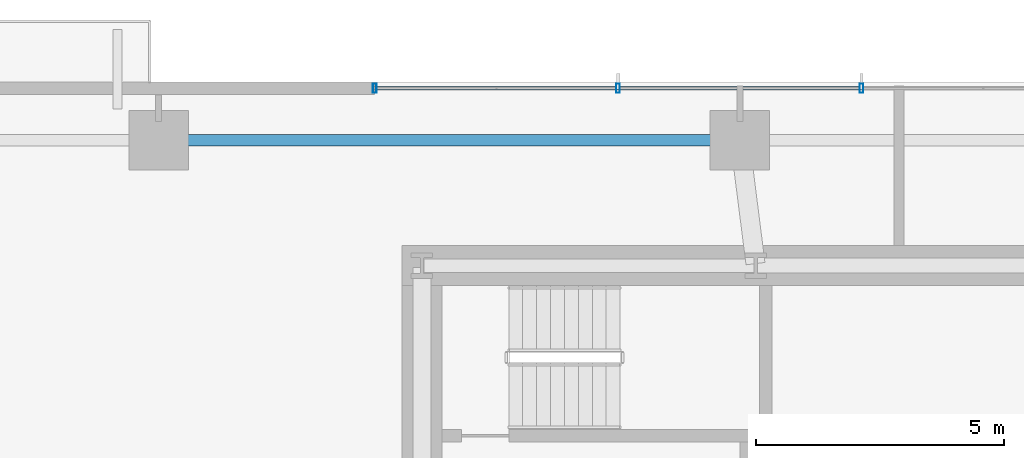
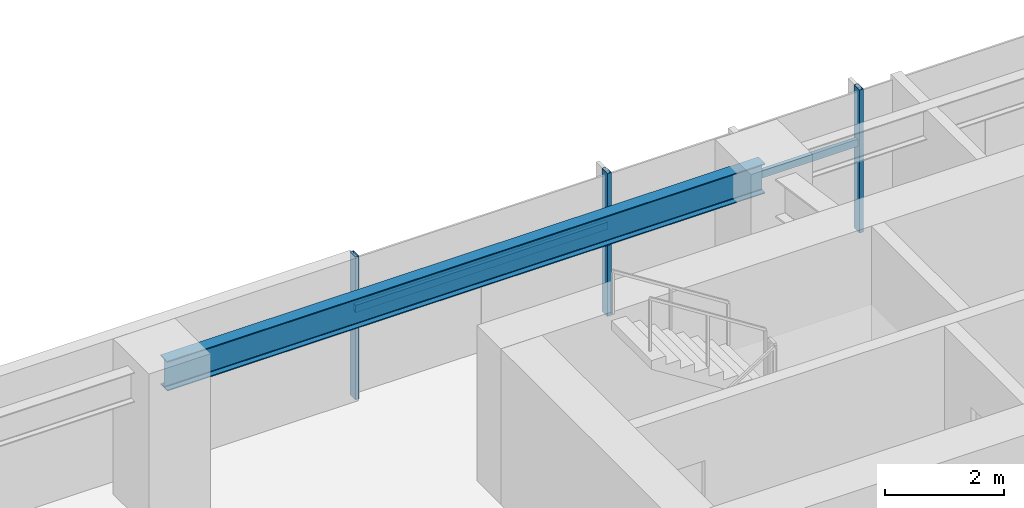
# One storey, part 10 of 25: 5 members, 1 beam, 1 element without a shape of its own.
"""IFC4 building model written with IfcOpenShell, lengths in metres."""

import ifcopenshell
import ifcopenshell.guid

model = None  # the IFC model being written
_history = None  # IfcOwnerHistory: only IFC2X3 demands one
_inside = {}  # id of a spatial element -> (the spatial element, [elements in it])
_under = {}  # id of a project, library or spatial element -> (it, [spatial elements below it])
_declared = {}  # id of a project -> (the project, [libraries it declares])
_typed = {}  # id of a type object -> (the type object, [elements of that type])
_made_of = {}  # id of a material, layer set ... -> (it, [elements and type objects made of it])


def new_model(schema):
    """Start an empty IFC model of exactly this schema.

    Asked for "IFC4X3", IfcOpenShell would pick the latest addendum, in which some entities
    have other attributes; the version numbers below select the first issue.
    IFC2X3 requires an IfcOwnerHistory on every rooted entity: one is made here for all.
    """
    global model, _history
    if schema == "IFC4X3":
        model = ifcopenshell.file(schema_version=(4, 3, 0, 0))
    else:
        model = ifcopenshell.file(schema=schema)
    _inside.clear()
    _under.clear()
    _declared.clear()
    _typed.clear()
    _made_of.clear()
    _history = None
    if model.schema == "IFC2X3":
        org = make("IfcOrganization", Name="unknown")
        user = make(
            "IfcPersonAndOrganization",
            ThePerson=make("IfcPerson", FamilyName="unknown"),
            TheOrganization=org,
        )
        app = make(
            "IfcApplication",
            ApplicationDeveloper=org,
            Version="unknown",
            ApplicationFullName="unknown",
            ApplicationIdentifier="unknown",
        )
        _history = make(
            "IfcOwnerHistory",
            OwningUser=user,
            OwningApplication=app,
            ChangeAction="ADDED",
            CreationDate=0,
        )
    return model


def make(cls, **values):
    """One entity of the class cls with the attributes given. An attribute that is None is left unset."""
    return model.create_entity(
        cls, **{name: value for name, value in values.items() if value is not None}
    )


def rooted(cls, **values):
    """An entity with a GlobalId (a new one), such as an element, a storey or a relation."""
    return make(cls, GlobalId=ifcopenshell.guid.new(), OwnerHistory=_history, **values)


def si_unit(unit_type, name, prefix=None):
    """IfcSIUnit, for example si_unit("LENGTHUNIT", "METRE", prefix="MILLI")."""
    return make("IfcSIUnit", UnitType=unit_type, Prefix=prefix, Name=name)


def assignment(units):
    """IfcUnitAssignment: the units of a project."""
    return None if units is None else make("IfcUnitAssignment", Units=units)


def point(xyz):
    """IfcCartesianPoint."""
    return None if xyz is None else make("IfcCartesianPoint", Coordinates=xyz)


def direction(xyz):
    """IfcDirection."""
    return None if xyz is None else make("IfcDirection", DirectionRatios=xyz)


def frame(location, z_axis=None, x_axis=None):
    """IfcAxis2Placement3D, a coordinate frame: its origin and axes. An axis left out is left unset."""
    return make(
        "IfcAxis2Placement3D",
        Location=point(location),
        Axis=direction(z_axis),
        RefDirection=direction(x_axis),
    )


def frame_2d(location, x_axis=None):
    """IfcAxis2Placement2D, a coordinate frame in the plane: its origin and x axis."""
    return make(
        "IfcAxis2Placement2D", Location=point(location), RefDirection=direction(x_axis)
    )


def origin():
    """The frame at (0, 0, 0) with its axes left unset."""
    return frame((0.0, 0.0, 0.0))


def origin_2d():
    """The frame at (0, 0) in the plane with its x axis left unset."""
    return frame_2d((0.0, 0.0))


def place(relative_to, where):
    """IfcLocalPlacement: puts the frame where relative to a parent placement (None: the world)."""
    return make(
        "IfcLocalPlacement", PlacementRelTo=relative_to, RelativePlacement=where
    )


def context(
    kind, dimensions, precision=None, world=None, true_north=None, identifier=None
):
    """IfcGeometricRepresentationContext, for example the 3D "Model" context."""
    return make(
        "IfcGeometricRepresentationContext",
        ContextIdentifier=identifier,
        ContextType=kind,
        CoordinateSpaceDimension=dimensions,
        Precision=precision,
        WorldCoordinateSystem=world,
        TrueNorth=true_north,
    )


def subcontext(parent, identifier, kind, view, scale=None):
    """IfcGeometricRepresentationSubContext, for example "Body" below "Model"."""
    return make(
        "IfcGeometricRepresentationSubContext",
        ContextIdentifier=identifier,
        ContextType=kind,
        ParentContext=parent,
        TargetScale=scale,
        TargetView=view,
    )


def project(units=None, contexts=None):
    """IfcProject with its units and contexts."""
    return rooted(
        "IfcProject",
        Name="project",
        RepresentationContexts=contexts,
        UnitsInContext=assignment(units),
    )


def spatial(cls, under=None, at=None, **own):
    """A site, building, storey or space (cls), placed at a placement, below another one or the project."""
    s = rooted(cls, ObjectPlacement=at, **own)
    if under is not None:
        _under.setdefault(under.id(), (under, []))[1].append(s)
    return s


def profile(cls, at=None, kind="AREA", **sizes):
    """A parametric profile (cls). Its sizes go by their IFC names, for example OverallWidth=200.0."""
    return make(cls, ProfileType=kind, Position=at, **sizes)


def hollow_rectangle(**sizes):
    """IfcRectangleHollowProfileDef."""
    return profile("IfcRectangleHollowProfileDef", **sizes)


def i_section(**sizes):
    """IfcIShapeProfileDef."""
    return profile("IfcIShapeProfileDef", **sizes)


def extrude(swept, where, along, depth):
    """IfcExtrudedAreaSolid: the profile swept, set in the frame where, extruded along a direction by depth."""
    return make(
        "IfcExtrudedAreaSolid",
        SweptArea=swept,
        Position=where,
        ExtrudedDirection=direction(along),
        Depth=depth,
    )


def shape(context_of_items, identifier, shape_type, items):
    """IfcShapeRepresentation: the items that make up one representation, for example the "Body"."""
    return make(
        "IfcShapeRepresentation",
        ContextOfItems=context_of_items,
        RepresentationIdentifier=identifier,
        RepresentationType=shape_type,
        Items=items,
    )


def source(mapping_origin, context_of_items, identifier, shape_type, items):
    """IfcRepresentationMap: a shape defined once, which mapped items show again and again."""
    return make(
        "IfcRepresentationMap",
        MappingOrigin=mapping_origin,
        MappedRepresentation=shape(context_of_items, identifier, shape_type, items),
    )


def transform(
    local_origin,
    x_axis=None,
    y_axis=None,
    z_axis=None,
    scale=None,
    scale2=None,
    scale3=None,
    uniform=True,
):
    """IfcCartesianTransformationOperator3D, or its non-uniform kind. x_axis, y_axis, z_axis: its Axis1, 2, 3."""
    if uniform:
        return make(
            "IfcCartesianTransformationOperator3D",
            Axis1=direction(x_axis),
            Axis2=direction(y_axis),
            LocalOrigin=point(local_origin),
            Scale=scale,
            Axis3=direction(z_axis),
        )
    return make(
        "IfcCartesianTransformationOperator3DnonUniform",
        Axis1=direction(x_axis),
        Axis2=direction(y_axis),
        LocalOrigin=point(local_origin),
        Scale=scale,
        Axis3=direction(z_axis),
        Scale2=scale2,
        Scale3=scale3,
    )


def mapped(mapping_source, mapping_target):
    """IfcMappedItem: shows the shape of a source again, moved by a transform."""
    return make(
        "IfcMappedItem", MappingSource=mapping_source, MappingTarget=mapping_target
    )


def material(Name=None, Category=None):
    """IfcMaterial."""
    return make("IfcMaterial", Name=Name, Category=Category)


def material_profile(
    of_material, cross_section, Name=None, Category=None, Priority=None
):
    """IfcMaterialProfile: a cross section and its material."""
    return make(
        "IfcMaterialProfile",
        Name=Name,
        Material=of_material,
        Profile=cross_section,
        Priority=Priority,
        Category=Category,
    )


def profile_set(profiles, Name=None, composite=None):
    """IfcMaterialProfileSet."""
    return make(
        "IfcMaterialProfileSet",
        Name=Name,
        MaterialProfiles=profiles,
        CompositeProfile=composite,
    )


def made_of(thing, what):
    """Note that an element or type object is made of a material, layer set ...; save() writes the relation."""
    if what is not None:
        _made_of.setdefault(what.id(), (what, []))[1].append(thing)
    return thing


def type_object(cls, material=None, **own):
    """A type object (cls), such as IfcWallType, which elements share."""
    return made_of(rooted(cls, **own), material)


def type_shapes(of_type, sources):
    """Give a type object the sources (RepresentationMaps) that its elements show as mapped items."""
    of_type.RepresentationMaps = sources


def element(
    cls,
    number,
    at=None,
    inside=None,
    cuts=None,
    type_object=None,
    material=None,
    context=None,
    identifier="Body",
    shape_type=None,
    held_by="IfcProductDefinitionShape",
    body=None,
    shapes=None,
    **own,
):
    """One element of the class cls, such as IfcWall. Its Tag is "e" and its number.

    at: its placement. inside: the storey or other place that contains it. cuts: it is an
    opening in that element (IfcRelVoidsElement). A single representation is given by context,
    identifier, shape_type and body (its items); several are given by shapes. held_by: the class
    of the entity that holds the representations. save() writes the other relations.
    """
    e = rooted(cls, Tag="e%d" % number, ObjectPlacement=at, **own)
    if body is not None:
        shapes = [shape(context, identifier, shape_type, body)]
    if shapes is not None:
        e.Representation = make(held_by, Representations=shapes)
    if inside is not None:
        _inside.setdefault(inside.id(), (inside, []))[1].append(e)
    if cuts is not None:
        rooted(
            "IfcRelVoidsElement", RelatingBuildingElement=cuts, RelatedOpeningElement=e
        )
    if type_object is not None:
        _typed.setdefault(type_object.id(), (type_object, []))[1].append(e)
    return made_of(e, material)


def aggregate(whole, parts):
    """IfcRelAggregates: a whole, such as a stair, and the parts it consists of."""
    return rooted("IfcRelAggregates", RelatingObject=whole, RelatedObjects=parts)


def save(model, path):
    """Write the relations noted so far, then the file.

    IfcRelAggregates (storeys below a building ...), IfcRelContainedInSpatialStructure (elements
    in a storey), IfcRelDefinesByType, IfcRelAssociatesMaterial and IfcRelDeclares: one each for
    every whole, place, type object, material and project.
    """
    for whole, parts in _under.values():
        aggregate(whole, parts)
    for where, things in _inside.values():
        rooted(
            "IfcRelContainedInSpatialStructure",
            RelatedElements=things,
            RelatingStructure=where,
        )
    for kind, things in _typed.values():
        rooted("IfcRelDefinesByType", RelatedObjects=things, RelatingType=kind)
    for what, things in _made_of.values():
        rooted("IfcRelAssociatesMaterial", RelatedObjects=things, RelatingMaterial=what)
    for by, libraries in _declared.values():
        rooted("IfcRelDeclares", RelatingContext=by, RelatedDefinitions=libraries)
    model.write(path)


model = new_model("IFC4")

# Units and contexts
model_context = context("Model", 3, precision=1e-05, world=origin(), true_north=direction((0.0, 1.0)))
body_context = subcontext(model_context, "Body", "Model", "MODEL_VIEW")
ifc_project = project(units=[si_unit("LENGTHUNIT", "METRE"), si_unit("AREAUNIT", "SQUARE_METRE"), si_unit("VOLUMEUNIT", "CUBIC_METRE"), si_unit("PLANEANGLEUNIT", "RADIAN"), si_unit("MASSUNIT", "GRAM", prefix="KILO")], contexts=[model_context])

# Site, building, storey
site_placement = place(None, origin())
site = spatial("IfcSite", under=ifc_project, at=site_placement, CompositionType="ELEMENT")
building_placement = place(site_placement, origin())
building = spatial("IfcBuilding", under=site, at=building_placement, Name="Astriad Promenade Condominiums", CompositionType="ELEMENT")
storey_placement = place(building_placement, frame((0.0, 0.0, 26.199951171875)))
storey = spatial("IfcBuildingStorey", under=building, at=storey_placement, Name="L06", CompositionType="ELEMENT", Elevation=26.199951171875)

# Beam
ifc_material_1 = material(Name="Steel ASTM A992 Grade 50", Category="steel")
ifc_material_profile_1 = material_profile(ifc_material_1, i_section(OverallWidth=0.22900390625, OverallDepth=0.612060546875, WebThickness=0.011962890625, FlangeThickness=0.01953125, FilletRadius=0.017822265625, at=origin_2d()), Name="W24X84")
ifc_profile_set_1 = profile_set([ifc_material_profile_1], Name="Steel ASTM A992 Grade 50")
beam_type = type_object("IfcBeamType", Name="STEEL SPANDREL BEAM W24X84", PredefinedType="SPANDREL", material=ifc_profile_set_1)
shared_shape_1 = source(origin(), body_context, "Body", "SweptSolid", [
    extrude(i_section(OverallWidth=0.22900390625, OverallDepth=0.612060546875, WebThickness=0.011962890625, FlangeThickness=0.01953125, FilletRadius=0.017822265625, at=origin_2d()), origin(), (0.0, 0.0, 1.0), 11.6201171875),
])
type_shapes(beam_type, [shared_shape_1])
beam_placement = place(storey_placement, frame((32.760009765625, 26.52001953125, 2.634033203125), z_axis=(-1.0, 0.0, 0.0), x_axis=(0.0, -1.0, 0.0)))
element("IfcBeam", 1, at=beam_placement, inside=storey, type_object=beam_type, Name="Perimeter Spandrel Beam SP-N2-L06", PredefinedType="SPANDREL", context=body_context, shape_type="MappedRepresentation", body=[
    mapped(shared_shape_1, transform((0.0, 0.0, 0.0), scale=1.0)),
])

# Curtain wall, members
ifc_material_2 = material(Name="Anodised aluminium Black Dark Glass Unitised", Category="aluminium")
curtain_wall_type = type_object("IfcCurtainWallType", Name="CW-B1-DARK", PredefinedType="USERDEFINED", material=ifc_material_2)
curtain_wall_placement = place(storey_placement, origin())
curtain_wall = element("IfcCurtainWall", 2, at=curtain_wall_placement, inside=storey, type_object=curtain_wall_type, Name="CW-L06-N", ObjectType="UNITISED_CURTAIN_WALL", PredefinedType="USERDEFINED")
ifc_material_3 = material(Name="Anodised aluminium 6063-T6 Black", Category="aluminium")
ifc_material_profile_2 = material_profile(ifc_material_3, hollow_rectangle(XDim=0.074951171875, YDim=0.18505859375, WallThickness=0.00439453125, at=origin_2d()), Name="ALU-MUL-75X185")
ifc_profile_set_2 = profile_set([ifc_material_profile_2], Name="Anodised aluminium 6063-T6 Black")
member_type_1 = type_object("IfcMemberType", Name="MUL-ALU-MUL-75X185", PredefinedType="MULLION", material=ifc_profile_set_2)
shared_shape_2 = source(origin(), body_context, "Body", "SweptSolid", [
    extrude(hollow_rectangle(XDim=0.074951171875, YDim=0.18505859375, WallThickness=0.00439453125, at=origin_2d()), origin(), (0.0, 0.0, 1.0), 2.93994140625),
])
type_shapes(member_type_1, [shared_shape_2])
member_1_placement = place(storey_placement, frame((25.449951171875, 27.570068359375, 0.0), z_axis=(0.0, 0.0, 1.0), x_axis=(1.0, 0.0, 0.0)))
member_1 = element("IfcMember", 3, at=member_1_placement, type_object=member_type_1, Name="CW-L06-N-MUL-00", PredefinedType="MULLION", context=body_context, shape_type="MappedRepresentation", body=[
    mapped(shared_shape_2, transform((0.0, 0.0, 0.0), scale=1.0)),
])
member_2_placement = place(storey_placement, frame((30.35009765625, 27.570068359375, 0.0), z_axis=(0.0, 0.0, 1.0), x_axis=(1.0, 0.0, 0.0)))
member_2 = element("IfcMember", 4, at=member_2_placement, type_object=member_type_1, Name="CW-L06-N-MUL-01", PredefinedType="MULLION", context=body_context, shape_type="MappedRepresentation", body=[
    mapped(shared_shape_2, transform((0.0, 0.0, 0.0), scale=1.0)),
])
member_3_placement = place(storey_placement, frame((35.25, 27.570068359375, 0.0), z_axis=(0.0, 0.0, 1.0), x_axis=(1.0, 0.0, 0.0)))
member_3 = element("IfcMember", 5, at=member_3_placement, type_object=member_type_1, Name="CW-L06-N-MUL-02", PredefinedType="MULLION", context=body_context, shape_type="MappedRepresentation", body=[
    mapped(shared_shape_2, transform((0.0, 0.0, 0.0), scale=1.0)),
])
ifc_material_profile_3 = material_profile(ifc_material_3, hollow_rectangle(XDim=0.074951171875, YDim=0.14990234375, WallThickness=0.004150390625, at=origin_2d()), Name="ALU-TRN-75X150")
ifc_profile_set_3 = profile_set([ifc_material_profile_3], Name="Anodised aluminium 6063-T6 Black")
member_type_2 = type_object("IfcMemberType", Name="TRN-ALU-TRN-75X150", PredefinedType="USERDEFINED", material=ifc_profile_set_3)
shared_shape_3 = source(origin(), body_context, "Body", "SweptSolid", [
    extrude(hollow_rectangle(XDim=0.074951171875, YDim=0.14990234375, WallThickness=0.004150390625, at=origin_2d()), origin(), (0.0, 0.0, 1.0), 4.900146484375),
])
member_4_placement = place(storey_placement, frame((25.449951171875, 27.570068359375, 1.82275390625), z_axis=(1.0, 0.0, 0.0), x_axis=(0.0, 1.0, 0.0)))
member_4 = element("IfcMember", 6, at=member_4_placement, type_object=member_type_2, Name="CW-L06-N-TRN-00-0", ObjectType="TRANSOM", PredefinedType="USERDEFINED", context=body_context, shape_type="MappedRepresentation", body=[
    mapped(shared_shape_3, transform((0.0, 0.0, 0.0), scale=1.0)),
])
shared_shape_4 = source(origin(), body_context, "Body", "SweptSolid", [
    extrude(hollow_rectangle(XDim=0.074951171875, YDim=0.14990234375, WallThickness=0.004150390625, at=origin_2d()), origin(), (0.0, 0.0, 1.0), 4.89990234375),
])
type_shapes(member_type_2, [shared_shape_3, shared_shape_4])
member_5_placement = place(storey_placement, frame((30.35009765625, 27.570068359375, 1.82275390625), z_axis=(1.0, 0.0, 0.0), x_axis=(0.0, 1.0, 0.0)))
member_5 = element("IfcMember", 7, at=member_5_placement, type_object=member_type_2, Name="CW-L06-N-TRN-01-0", ObjectType="TRANSOM", PredefinedType="USERDEFINED", context=body_context, shape_type="MappedRepresentation", body=[
    mapped(shared_shape_4, transform((0.0, 0.0, 0.0), scale=1.0)),
])
aggregate(curtain_wall, [member_1, member_2, member_3, member_4, member_5])

save(model, "model.ifc")
